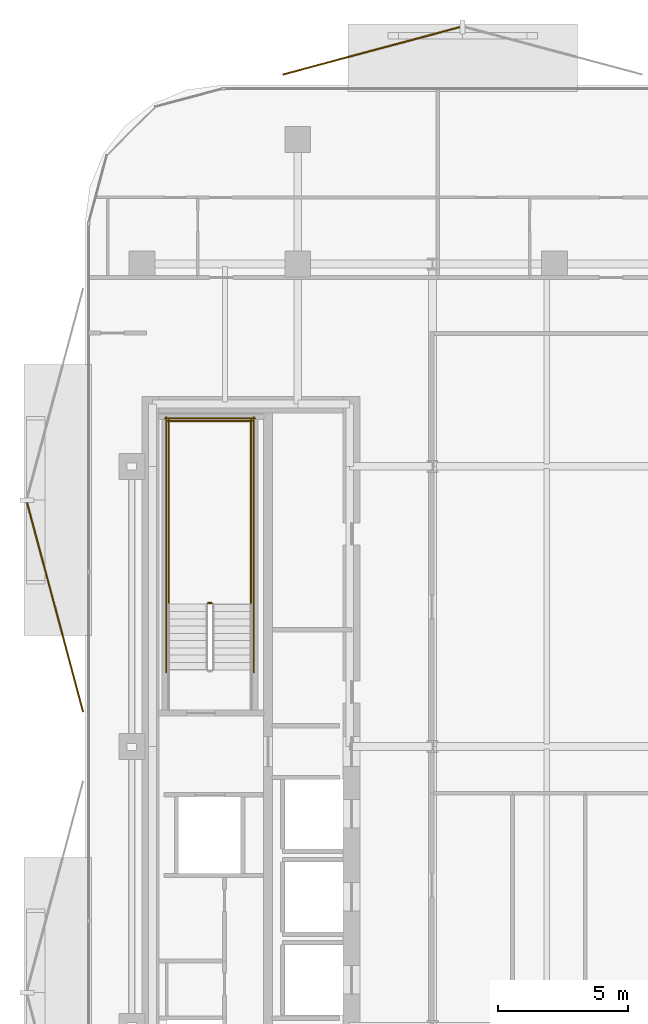
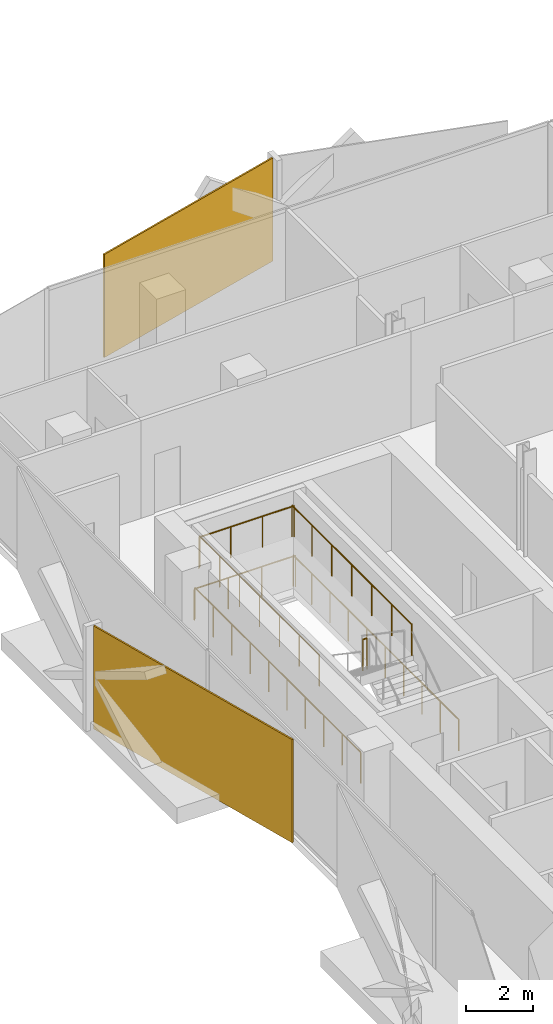
# One storey, part 16 of 17: 7 railings, 2 coverings.
"""IFC4 building model written with IfcOpenShell, lengths in metres."""

from ifc_helpers import new_model, si_unit, direction, frame, origin, origin_2d, place, context, subcontext, project, spatial, rectangle, circle, extrude, material, layer, layer_set, type_object, element, save


model = new_model("IFC4")

# Units and contexts
model_context = context("Model", 3, precision=1e-05, world=origin(), true_north=direction((0.0, 1.0)))
body_context = subcontext(model_context, "Body", "Model", "MODEL_VIEW")
ifc_project = project(units=[si_unit("LENGTHUNIT", "METRE"), si_unit("AREAUNIT", "SQUARE_METRE"), si_unit("VOLUMEUNIT", "CUBIC_METRE"), si_unit("PLANEANGLEUNIT", "RADIAN"), si_unit("MASSUNIT", "GRAM", prefix="KILO")], contexts=[model_context])

# Site, building, storey
site_placement = place(None, origin())
site = spatial("IfcSite", under=ifc_project, at=site_placement, CompositionType="ELEMENT")
building_placement = place(site_placement, origin())
building = spatial("IfcBuilding", under=site, at=building_placement, Name="Khairoan Windgate Tower", CompositionType="ELEMENT")
storey_placement = place(building_placement, frame((0.0, 0.0, 199.199951171875)))
storey = spatial("IfcBuildingStorey", under=building, at=storey_placement, Name="L46", CompositionType="ELEMENT", Elevation=199.199951171875)

# Coverings
ifc_material_1 = material(Name="Anodised Bronze Aluminium 6063-T6", Category="aluminium")
ifc_layer = layer(ifc_material_1, 0.054931640625, Name="Anodised Bronze Aluminium 6063-T6")
ifc_layer_set = layer_set([ifc_layer], Name="Anodised Bronze Aluminium 6063-T6")
covering_type = type_object("IfcCoveringType", Name="Perforated Bronze-Ceramic Folded Solar Screen Cladding BSC-1", PredefinedType="CLADDING", material=ifc_layer_set)
covering_1_placement = place(storey_placement, frame((-23.7587890625, 5.369873046875, -0.10009765625), z_axis=(0.0, 0.0, 1.0), x_axis=(-0.258819045103, 0.965925826289, 0.0)))
element("IfcCovering", 1, at=covering_1_placement, inside=storey, type_object=covering_type, Name="L46 Folded Bronze Solar Screen Facet 308L", PredefinedType="CLADDING", context=body_context, shape_type="SweptSolid", body=[
    extrude(rectangle(XDim=8.35595703125, YDim=0.054931640625, at=origin_2d()), origin(), (0.0, 0.0, 1.0), 3.739990234375),
])
covering_2_placement = place(storey_placement, frame((-11.5546875, 26.82373046875, -0.10009765625), z_axis=(0.0, 0.0, 1.0), x_axis=(0.965925826289, 0.258819045103, 0.0)))
element("IfcCovering", 2, at=covering_2_placement, inside=storey, type_object=covering_type, Name="L46 Folded Bronze Solar Screen Facet 309L", PredefinedType="CLADDING", context=body_context, shape_type="SweptSolid", body=[
    extrude(rectangle(XDim=7.080078125, YDim=0.054931640625, at=origin_2d()), origin(), (0.0, 0.0, 1.0), 3.739990234375),
])

# Railings
ifc_material_2 = material(Name="Steel S355", Category="steel")
railing_type = type_object("IfcRailingType", Name="Stairwell Safety Guardrail SGR-1150", PredefinedType="GUARDRAIL", material=ifc_material_2)
railing_1_placement = place(storey_placement, frame((-17.7099609375, 5.530029296875, 1.900146484375)))
element("IfcRailing", 3, at=railing_1_placement, inside=storey, type_object=railing_type, Name="L46 ST2 stair guard 2", PredefinedType="GUARDRAIL", context=body_context, shape_type="SweptSolid", body=[
    extrude(circle(Radius=0.02392578125, at=origin_2d()), frame((0.0, 0.0, 1.1259765625), z_axis=(-1.0, 0.0, 0.0), x_axis=(0.0, -1.0, 0.0)), (0.0, 0.0, 1.0), 0.150146484375),
    extrude(circle(Radius=0.02099609375, at=origin_2d()), origin(), (0.0, 0.0, 1.0), 1.101806640625),
    extrude(circle(Radius=0.02099609375, at=origin_2d()), frame((-0.150146484375, 0.0, 0.0)), (0.0, 0.0, 1.0), 1.101806640625),
])
for number, where, name in (
    (4, (-16.199951171875, 5.47998046875, 1.900146484375), "L46 ST2 stair guard 3"),
    (5, (-19.3701171875, 5.47998046875, 1.900146484375), "L46 ST2 stair guard 4"),
):
    element("IfcRailing", number, at=place(storey_placement, frame(where)), inside=storey, type_object=railing_type, Name=name, PredefinedType="GUARDRAIL", context=body_context, shape_type="SweptSolid", body=[
        extrude(circle(Radius=0.02392578125, at=origin_2d()), frame((0.0, 0.0, 1.1259765625), z_axis=(0.0, 1.0, 0.0), x_axis=(-1.0, 0.0, 0.0)), (0.0, 0.0, 1.0), 7.1201171875),
        extrude(circle(Radius=0.02099609375, at=origin_2d()), origin(), (0.0, 0.0, 1.0), 1.101806640625),
        extrude(circle(Radius=0.02099609375, at=origin_2d()), frame((0.0, 1.186767578125, 0.0)), (0.0, 0.0, 1.0), 1.101806640625),
        extrude(circle(Radius=0.02099609375, at=origin_2d()), frame((0.0, 2.373291015625, 0.0)), (0.0, 0.0, 1.0), 1.101806640625),
        extrude(circle(Radius=0.02099609375, at=origin_2d()), frame((0.0, 3.56005859375, 0.0)), (0.0, 0.0, 1.0), 1.101806640625),
        extrude(circle(Radius=0.02099609375, at=origin_2d()), frame((0.0, 4.746826171875, 0.0)), (0.0, 0.0, 1.0), 1.101806640625),
        extrude(circle(Radius=0.02099609375, at=origin_2d()), frame((0.0, 5.933349609375, 0.0)), (0.0, 0.0, 1.0), 1.101806640625),
        extrude(circle(Radius=0.02099609375, at=origin_2d()), frame((0.0, 7.1201171875, 0.0)), (0.0, 0.0, 1.0), 1.101806640625),
    ])
railing_2_placement = place(storey_placement, frame((-16.14990234375, 12.550048828125, 1.900146484375)))
element("IfcRailing", 6, at=railing_2_placement, inside=storey, type_object=railing_type, Name="L46 ST2 stair guard 5", PredefinedType="GUARDRAIL", context=body_context, shape_type="SweptSolid", body=[
    extrude(circle(Radius=0.02392578125, at=origin_2d()), frame((0.0, 0.0, 1.1259765625), z_axis=(-1.0, 0.0, 0.0), x_axis=(0.0, -1.0, 0.0)), (0.0, 0.0, 1.0), 3.27001953125),
    extrude(circle(Radius=0.02099609375, at=origin_2d()), origin(), (0.0, 0.0, 1.0), 1.101806640625),
    extrude(circle(Radius=0.02099609375, at=origin_2d()), frame((-1.090087890625, 0.0, 0.0)), (0.0, 0.0, 1.0), 1.101806640625),
    extrude(circle(Radius=0.02099609375, at=origin_2d()), frame((-2.179931640625, 0.0, 0.0)), (0.0, 0.0, 1.0), 1.101806640625),
    extrude(circle(Radius=0.02099609375, at=origin_2d()), frame((-3.27001953125, 0.0, 0.0)), (0.0, 0.0, 1.0), 1.101806640625),
])
for number, where, name in (
    (7, (-16.10009765625, 2.860107421875, 0.0), "L46 ST2 stair guard 10"),
    (8, (-19.469970703125, 2.860107421875, 0.0), "L46 ST2 stair guard 11"),
):
    element("IfcRailing", number, at=place(storey_placement, frame(where)), inside=storey, type_object=railing_type, Name=name, PredefinedType="GUARDRAIL", context=body_context, shape_type="SweptSolid", body=[
        extrude(circle(Radius=0.02392578125, at=origin_2d()), frame((0.0, 0.0, 1.1259765625), z_axis=(0.0, 1.0, 0.0), x_axis=(-1.0, 0.0, 0.0)), (0.0, 0.0, 1.0), 9.83984375),
        extrude(circle(Radius=0.02099609375, at=origin_2d()), origin(), (0.0, 0.0, 1.0), 1.101806640625),
        extrude(circle(Radius=0.02099609375, at=origin_2d()), frame((0.0, 1.09326171875, 0.0)), (0.0, 0.0, 1.0), 1.101806640625),
        extrude(circle(Radius=0.02099609375, at=origin_2d()), frame((0.0, 2.1865234375, 0.0)), (0.0, 0.0, 1.0), 1.101806640625),
        extrude(circle(Radius=0.02099609375, at=origin_2d()), frame((0.0, 3.280029296875, 0.0)), (0.0, 0.0, 1.0), 1.101806640625),
        extrude(circle(Radius=0.02099609375, at=origin_2d()), frame((0.0, 4.373291015625, 0.0)), (0.0, 0.0, 1.0), 1.101806640625),
        extrude(circle(Radius=0.02099609375, at=origin_2d()), frame((0.0, 5.466552734375, 0.0)), (0.0, 0.0, 1.0), 1.101806640625),
        extrude(circle(Radius=0.02099609375, at=origin_2d()), frame((0.0, 6.559814453125, 0.0)), (0.0, 0.0, 1.0), 1.101806640625),
        extrude(circle(Radius=0.02099609375, at=origin_2d()), frame((0.0, 7.6533203125, 0.0)), (0.0, 0.0, 1.0), 1.101806640625),
        extrude(circle(Radius=0.02099609375, at=origin_2d()), frame((0.0, 8.74658203125, 0.0)), (0.0, 0.0, 1.0), 1.101806640625),
        extrude(circle(Radius=0.02099609375, at=origin_2d()), frame((0.0, 9.83984375, 0.0)), (0.0, 0.0, 1.0), 1.101806640625),
    ])
railing_3_placement = place(storey_placement, frame((-16.050048828125, 12.64990234375, 0.0)))
element("IfcRailing", 9, at=railing_3_placement, inside=storey, type_object=railing_type, Name="L46 ST2 stair guard 12", PredefinedType="GUARDRAIL", context=body_context, shape_type="SweptSolid", body=[
    extrude(circle(Radius=0.02392578125, at=origin_2d()), frame((0.0, 0.0, 1.1259765625), z_axis=(-1.0, 0.0, 0.0), x_axis=(0.0, -1.0, 0.0)), (0.0, 0.0, 1.0), 3.469970703125),
    extrude(circle(Radius=0.02099609375, at=origin_2d()), origin(), (0.0, 0.0, 1.0), 1.101806640625),
    extrude(circle(Radius=0.02099609375, at=origin_2d()), frame((-1.15673828125, 0.0, 0.0)), (0.0, 0.0, 1.0), 1.101806640625),
    extrude(circle(Radius=0.02099609375, at=origin_2d()), frame((-2.313232421875, 0.0, 0.0)), (0.0, 0.0, 1.0), 1.101806640625),
    extrude(circle(Radius=0.02099609375, at=origin_2d()), frame((-3.469970703125, 0.0, 0.0)), (0.0, 0.0, 1.0), 1.101806640625),
])

save(model, "model.ifc")
